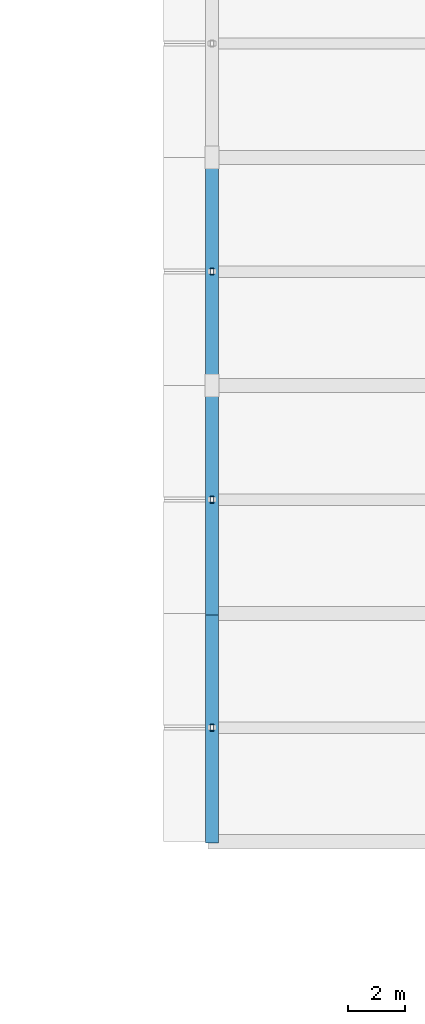
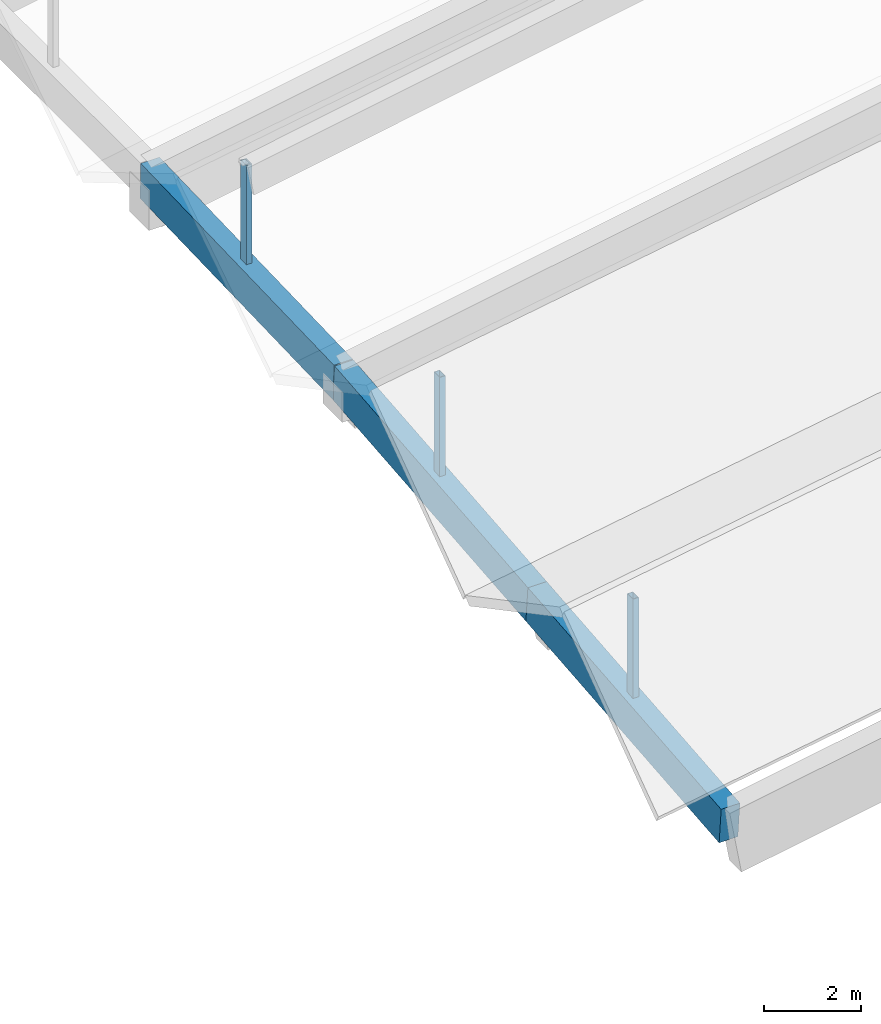
# One storey, part 18 of 109: 3 beams, 3 members.
"""IFC4 building model written with IfcOpenShell, lengths in metres."""

from ifc_helpers import new_model, si_unit, direction, frame, origin, origin_2d, place, context, subcontext, project, spatial, rectangle, hollow_rectangle, extrude, material, material_profile, profile_set, type_object, element, save


model = new_model("IFC4")

# Units and contexts
model_context = context("Model", 3, precision=1e-05, world=origin(), true_north=direction((0.0, 1.0)))
body_context = subcontext(model_context, "Body", "Model", "MODEL_VIEW")
ifc_project = project(units=[si_unit("LENGTHUNIT", "METRE"), si_unit("AREAUNIT", "SQUARE_METRE"), si_unit("VOLUMEUNIT", "CUBIC_METRE"), si_unit("PLANEANGLEUNIT", "RADIAN"), si_unit("MASSUNIT", "GRAM", prefix="KILO")], contexts=[model_context])

# Site, building, storey
site_placement = place(None, origin())
site = spatial("IfcSite", under=ifc_project, at=site_placement, CompositionType="ELEMENT")
building_placement = place(site_placement, origin())
building = spatial("IfcBuilding", under=site, at=building_placement, Name="Zavelmont Quarter", CompositionType="ELEMENT")
storey_placement = place(building_placement, frame((0.0, 0.0, 8.0)))
storey = spatial("IfcBuildingStorey", under=building, at=storey_placement, Name="L02", CompositionType="ELEMENT", Elevation=8.0)

# Beams
ifc_material_1 = material(Name="Concrete C40/50", Category="concrete")
ifc_material_profile_1 = material_profile(ifc_material_1, rectangle(XDim=0.449951171875, YDim=0.89990234375, at=origin_2d()), Name="RC450X900")
ifc_profile_set_1 = profile_set([ifc_material_profile_1], Name="Concrete C40/50")
beam_type = type_object("IfcBeamType", Name="BM06", PredefinedType="BEAM", material=ifc_profile_set_1)
for number, where, z_axis, x_axis, name in (
    (1, (55.199951171875, 30.0, -0.7451171875), (0.0, 0.995634226059, 0.093340708693), (-1.0, 0.0, 0.0), "L02 beam BM06 9/F to 9/G"),
    (2, (55.199951171875, 38.0, 0.0048828125), (0.0, 0.995634226059, 0.093340708693), (-1.0, 0.0, 0.0), "L02 beam BM06 9/G to 9/H"),
):
    element("IfcBeam", number, at=place(storey_placement, frame(where, z_axis=z_axis, x_axis=x_axis)), inside=storey, type_object=beam_type, Name=name, PredefinedType="BEAM", context=body_context, shape_type="SweptSolid", body=[
        extrude(rectangle(XDim=0.449951171875, YDim=0.89990234375, at=origin_2d()), origin(), (0.0, 0.0, 1.0), 8.03515625),
    ])
beam_placement = place(storey_placement, frame((55.199951171875, 46.0, 0.7548828125), z_axis=(0.0, 0.999512076087, 0.031234752378), x_axis=(-1.0, 0.0, 0.0)))
element("IfcBeam", 3, at=beam_placement, inside=storey, type_object=beam_type, Name="L02 beam BM06 9/H to 9/J", PredefinedType="BEAM", context=body_context, shape_type="SweptSolid", body=[
    extrude(rectangle(XDim=0.449951171875, YDim=0.89990234375, at=origin_2d()), origin(), (0.0, 0.0, 1.0), 8.00390625),
])

# Members
ifc_material_2 = material(Name="Steel S355", Category="steel")
ifc_material_profile_2 = material_profile(ifc_material_2, hollow_rectangle(XDim=0.139892578125, YDim=0.239990234375, WallThickness=0.010009765625, at=origin_2d()), Name="RHS 240X140X10")
ifc_profile_set_2 = profile_set([ifc_material_profile_2], Name="Steel S355")
member_type = type_object("IfcMemberType", Name="CLM1", PredefinedType="CHORD", material=ifc_profile_set_2)
for number, where, z_axis, x_axis, name in (
    (4, (55.199951171875, 34.0, -0.070068359375), (0.0, 0.0, 1.0), (1.0, 0.0, 0.0), "L02 member CLM1 9/F to 9/F"),
    (5, (55.199951171875, 42.0, 0.679931640625), (0.0, 0.0, 1.0), (1.0, 0.0, 0.0), "L02 member CLM1 9/G to 9/G"),
    (6, (55.199951171875, 50.0, 1.179931640625), (0.0, 0.0, 1.0), (1.0, 0.0, 0.0), "L02 member CLM1 9/H to 9/H"),
):
    element("IfcMember", number, at=place(storey_placement, frame(where, z_axis=z_axis, x_axis=x_axis)), inside=storey, type_object=member_type, Name=name, PredefinedType="CHORD", context=body_context, shape_type="SweptSolid", body=[
        extrude(hollow_rectangle(XDim=0.139892578125, YDim=0.239990234375, WallThickness=0.010009765625, at=origin_2d()), origin(), (0.0, 0.0, 1.0), 2.650146484375),
    ])

save(model, "model.ifc")
